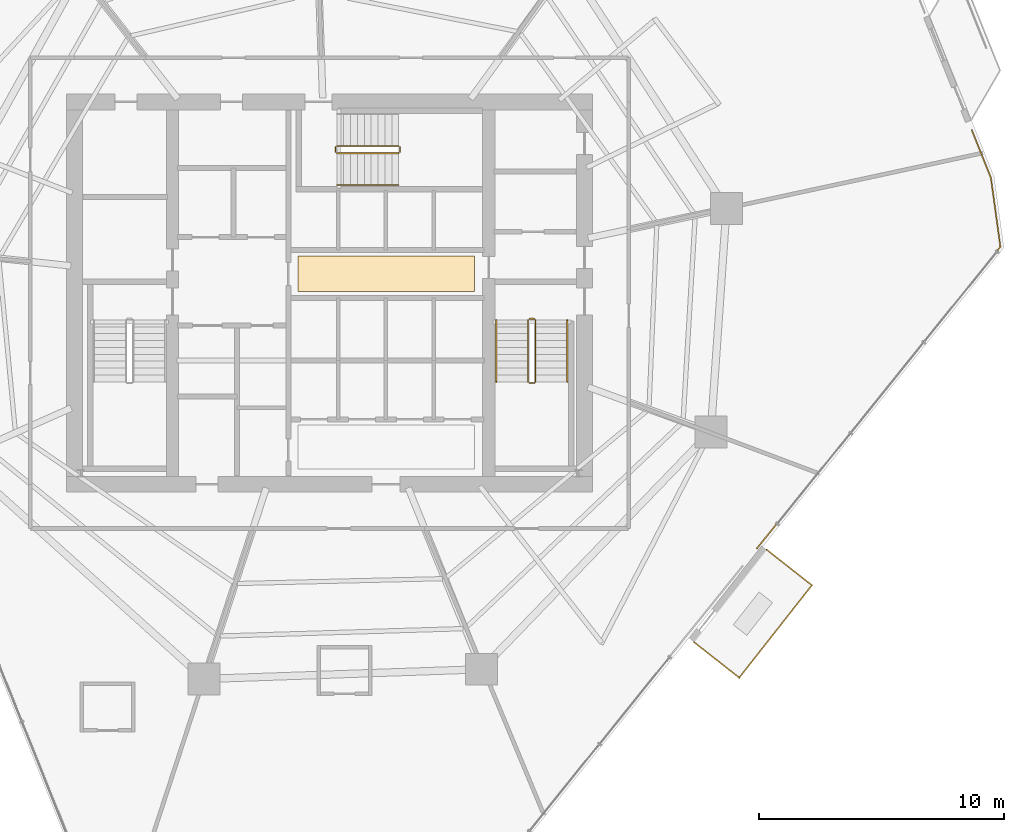
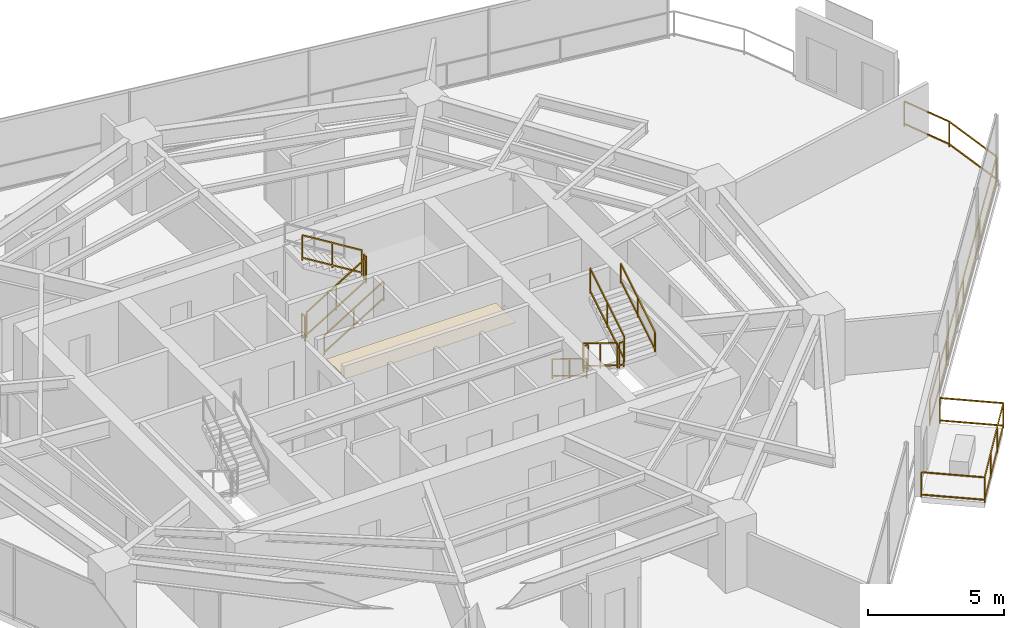
# One storey, part 31 of 32: 13 railings, 1 covering.
"""IFC4 building model written with IfcOpenShell, lengths in metres."""

from ifc_helpers import new_model, si_unit, direction, frame, origin, origin_2d, place, context, subcontext, project, spatial, rectangle, extrude, material, layer, layer_set, type_object, element, save


model = new_model("IFC4")

# Units and contexts
model_context = context("Model", 3, precision=1e-05, world=origin(), true_north=direction((0.0, 1.0)))
body_context = subcontext(model_context, "Body", "Model", "MODEL_VIEW")
ifc_project = project(units=[si_unit("LENGTHUNIT", "METRE"), si_unit("AREAUNIT", "SQUARE_METRE"), si_unit("VOLUMEUNIT", "CUBIC_METRE"), si_unit("PLANEANGLEUNIT", "RADIAN"), si_unit("MASSUNIT", "GRAM", prefix="KILO")], contexts=[model_context])

# Site, building, storey
site_placement = place(None, origin())
site = spatial("IfcSite", under=ifc_project, at=site_placement, CompositionType="ELEMENT")
building_placement = place(site_placement, origin())
building = spatial("IfcBuilding", under=site, at=building_placement, Name="Qarnah Convention Tower", CompositionType="ELEMENT")
storey_placement = place(building_placement, frame((0.0, 0.0, 37.35009765625)))
storey = spatial("IfcBuildingStorey", under=building, at=storey_placement, Name="L08", CompositionType="ELEMENT", Elevation=37.35009765625)

# Covering
ifc_material_1 = material(Name="Mineral fibre acoustic ceiling")
ifc_layer = layer(ifc_material_1, 0.02001953125)
ifc_layer_set = layer_set([ifc_layer], Name="Mineral fibre acoustic ceiling")
covering_type = type_object("IfcCoveringType", Name="COV-CEIL-20", PredefinedType="CEILING", material=ifc_layer_set)
covering_placement = place(storey_placement, frame((39.52001953125, 27.179931640625, 2.289794921875), z_axis=(0.0, 0.0, 1.0), x_axis=(1.0, 0.0, 0.0)))
element("IfcCovering", 1, at=covering_placement, inside=storey, type_object=covering_type, Name="L08 lift lobby acoustic ceiling", PredefinedType="CEILING", context=body_context, shape_type="SweptSolid", body=[
    extrude(rectangle(XDim=7.199951171875, YDim=1.449951171875, at=origin_2d()), origin(), (0.0, 0.0, 1.0), 0.02001953125),
])

# Railings
ifc_material_2 = material(Name="Black anodised aluminium", Category="aluminium")
railing_type_1 = type_object("IfcRailingType", Name="RL-EXT-GUARD-1150", PredefinedType="GUARDRAIL", material=ifc_material_2)
railing_1_placement = place(storey_placement, frame((63.39599609375, 33.0400390625, 0.0)))
element("IfcRailing", 2, at=railing_1_placement, inside=storey, type_object=railing_type_1, Name="L08 slab-edge perimeter safety guard 02", PredefinedType="GUARDRAIL", context=body_context, shape_type="SweptSolid", body=[
    extrude(rectangle(XDim=0.048095703125, YDim=0.048095703125, at=origin_2d()), frame((0.0, 0.0, 1.1259765625), z_axis=(0.371973450954, -0.928243368834, 0.0), x_axis=(0.928243368834, 0.371973450954, 0.0)), (0.0, 0.0, 1.0), 2.094482421875),
    extrude(rectangle(XDim=0.048095703125, YDim=0.048095703125, at=origin_2d()), frame((0.0, 0.0, 0.1201171875), z_axis=(0.371973450954, -0.928243368834, 0.0), x_axis=(0.928243368834, 0.371973450954, 0.0)), (0.0, 0.0, 1.0), 2.094482421875),
    extrude(rectangle(XDim=0.048095703125, YDim=0.048095703125, at=origin_2d()), frame((0.779052734375, -1.944091796875, 1.1259765625), z_axis=(0.136477140746, -0.990643220364, 0.0), x_axis=(0.990643220364, 0.136477140746, 0.0)), (0.0, 0.0, 1.0), 2.83544921875),
    extrude(rectangle(XDim=0.048095703125, YDim=0.048095703125, at=origin_2d()), frame((0.779052734375, -1.944091796875, 0.1201171875), z_axis=(0.136477140746, -0.990643220364, 0.0), x_axis=(0.990643220364, 0.136477140746, 0.0)), (0.0, 0.0, 1.0), 2.83544921875),
    extrude(rectangle(XDim=0.048095703125, YDim=0.048095703125, at=origin_2d()), frame((1.166015625, -4.7529296875, 1.1259765625), z_axis=(-0.628134642581, -0.778104665703, 0.0), x_axis=(0.778104665703, -0.628134642581, 0.0)), (0.0, 0.0, 1.0), 15.803955078125),
    extrude(rectangle(XDim=0.048095703125, YDim=0.048095703125, at=origin_2d()), frame((1.166015625, -4.7529296875, 0.1201171875), z_axis=(-0.628134642581, -0.778104665703, 0.0), x_axis=(0.778104665703, -0.628134642581, 0.0)), (0.0, 0.0, 1.0), 15.803955078125),
    extrude(rectangle(XDim=0.0419921875, YDim=0.0419921875, at=origin_2d()), origin(), (0.0, 0.0, 1.0), 1.101806640625),
    extrude(rectangle(XDim=0.0419921875, YDim=0.0419921875, at=origin_2d()), frame((0.779052734375, -1.944091796875, 0.0)), (0.0, 0.0, 1.0), 1.101806640625),
    extrude(rectangle(XDim=0.0419921875, YDim=0.0419921875, at=origin_2d()), frame((1.166015625, -4.7529296875, 0.0)), (0.0, 0.0, 1.0), 1.101806640625),
    extrude(rectangle(XDim=0.0419921875, YDim=0.0419921875, at=origin_2d()), frame((-1.315673828125, -7.8271484375, 0.0)), (0.0, 0.0, 1.0), 1.101806640625),
    extrude(rectangle(XDim=0.0419921875, YDim=0.0419921875, at=origin_2d()), frame((-3.79736328125, -10.9013671875, 0.0)), (0.0, 0.0, 1.0), 1.101806640625),
    extrude(rectangle(XDim=0.0419921875, YDim=0.0419921875, at=origin_2d()), frame((-6.279296875, -13.975830078125, 0.0)), (0.0, 0.0, 1.0), 1.101806640625),
    extrude(rectangle(XDim=0.0419921875, YDim=0.0419921875, at=origin_2d()), frame((-8.760986328125, -17.050048828125, 0.0)), (0.0, 0.0, 1.0), 1.101806640625),
])
railing_2_placement = place(storey_placement, frame((55.029052734375, 15.93505859375, 0.0)))
element("IfcRailing", 3, at=railing_2_placement, inside=storey, type_object=railing_type_1, Name="L08 balcony safety guard VN-L08", PredefinedType="GUARDRAIL", context=body_context, shape_type="SweptSolid", body=[
    extrude(rectangle(XDim=0.048095703125, YDim=0.048095703125, at=origin_2d()), frame((0.0, 0.0, 1.1259765625), z_axis=(0.786271475643, -0.617881191323, 0.0), x_axis=(0.617881191323, 0.786271475643, 0.0)), (0.0, 0.0, 1.0), 2.35009765625),
    extrude(rectangle(XDim=0.048095703125, YDim=0.048095703125, at=origin_2d()), frame((0.0, 0.0, 0.1201171875), z_axis=(0.786271475643, -0.617881191323, 0.0), x_axis=(0.617881191323, 0.786271475643, 0.0)), (0.0, 0.0, 1.0), 2.35009765625),
    extrude(rectangle(XDim=0.048095703125, YDim=0.048095703125, at=origin_2d()), frame((1.847900390625, -1.4521484375, 1.1259765625), z_axis=(-0.617929368355, -0.786233613962, 0.0), x_axis=(0.786233613962, -0.617929368355, 0.0)), (0.0, 0.0, 1.0), 4.800048828125),
    extrude(rectangle(XDim=0.048095703125, YDim=0.048095703125, at=origin_2d()), frame((1.847900390625, -1.4521484375, 0.1201171875), z_axis=(-0.617929368355, -0.786233613962, 0.0), x_axis=(0.786233613962, -0.617929368355, 0.0)), (0.0, 0.0, 1.0), 4.800048828125),
    extrude(rectangle(XDim=0.048095703125, YDim=0.048095703125, at=origin_2d()), frame((-1.1181640625, -5.22607421875, 1.1259765625), z_axis=(-0.786163251948, 0.618018884248, 0.0), x_axis=(-0.618018884248, -0.786163251948, 0.0)), (0.0, 0.0, 1.0), 2.349365234375),
    extrude(rectangle(XDim=0.048095703125, YDim=0.048095703125, at=origin_2d()), frame((-1.1181640625, -5.22607421875, 0.1201171875), z_axis=(-0.786163251948, 0.618018884248, 0.0), x_axis=(-0.618018884248, -0.786163251948, 0.0)), (0.0, 0.0, 1.0), 2.349365234375),
    extrude(rectangle(XDim=0.0419921875, YDim=0.0419921875, at=origin_2d()), origin(), (0.0, 0.0, 1.0), 1.101806640625),
    extrude(rectangle(XDim=0.0419921875, YDim=0.0419921875, at=origin_2d()), frame((1.847900390625, -1.4521484375, 0.0)), (0.0, 0.0, 1.0), 1.101806640625),
    extrude(rectangle(XDim=0.0419921875, YDim=0.0419921875, at=origin_2d()), frame((0.859130859375, -2.710205078125, 0.0)), (0.0, 0.0, 1.0), 1.101806640625),
    extrude(rectangle(XDim=0.0419921875, YDim=0.0419921875, at=origin_2d()), frame((-0.12939453125, -3.968017578125, 0.0)), (0.0, 0.0, 1.0), 1.101806640625),
    extrude(rectangle(XDim=0.0419921875, YDim=0.0419921875, at=origin_2d()), frame((-1.1181640625, -5.22607421875, 0.0)), (0.0, 0.0, 1.0), 1.101806640625),
    extrude(rectangle(XDim=0.0419921875, YDim=0.0419921875, at=origin_2d()), frame((-2.965087890625, -3.774169921875, 0.0)), (0.0, 0.0, 1.0), 1.101806640625),
])
ifc_material_3 = material(Name="Structural steel S355JR", Category="steel")
railing_type_2 = type_object("IfcRailingType", Name="RL-STAIR-GUARD-1150", PredefinedType="GUARDRAIL", material=ifc_material_3)
railing_3_placement = place(storey_placement, frame((45.300048828125, 25.300048828125, 0.17236328125)))
element("IfcRailing", 4, at=railing_3_placement, inside=storey, type_object=railing_type_2, Name="L08 ST-2 stair guard 1", PredefinedType="GUARDRAIL", context=body_context, shape_type="SweptSolid", body=[
    extrude(rectangle(XDim=0.048095703125, YDim=0.048095703125, at=origin_2d()), frame((0.0, 0.0, 1.1259765625), z_axis=(0.0, -0.851400495292, 0.524516154772), x_axis=(1.0, 0.0, 0.0)), (0.0, 0.0, 1.0), 2.9599609375),
    extrude(rectangle(XDim=0.048095703125, YDim=0.048095703125, at=origin_2d()), frame((0.0, 0.0, 0.1201171875), z_axis=(0.0, -0.851400495292, 0.524516154772), x_axis=(1.0, 0.0, 0.0)), (0.0, 0.0, 1.0), 2.9599609375),
    extrude(rectangle(XDim=0.0419921875, YDim=0.0419921875, at=origin_2d()), origin(), (0.0, 0.0, 1.0), 1.101806640625),
    extrude(rectangle(XDim=0.0419921875, YDim=0.0419921875, at=origin_2d()), frame((0.0, -1.260009765625, 0.7763671875)), (0.0, 0.0, 1.0), 1.101806640625),
    extrude(rectangle(XDim=0.0419921875, YDim=0.0419921875, at=origin_2d()), frame((0.0, -2.52001953125, 1.552490234375)), (0.0, 0.0, 1.0), 1.101806640625),
])
railing_4_placement = place(storey_placement, frame((45.35009765625, 22.72998046875, 1.724853515625)))
element("IfcRailing", 5, at=railing_4_placement, inside=storey, type_object=railing_type_2, Name="L08 ST-2 stair guard 2", PredefinedType="GUARDRAIL", context=body_context, shape_type="SweptSolid", body=[
    extrude(rectangle(XDim=0.048095703125, YDim=0.048095703125, at=origin_2d()), frame((0.0, 0.0, 1.1259765625), z_axis=(1.0, 0.0, 0.0), x_axis=(0.0, 1.0, 0.0)), (0.0, 0.0, 1.0), 0.199951171875),
    extrude(rectangle(XDim=0.048095703125, YDim=0.048095703125, at=origin_2d()), frame((0.0, 0.0, 0.1201171875), z_axis=(1.0, 0.0, 0.0), x_axis=(0.0, 1.0, 0.0)), (0.0, 0.0, 1.0), 0.199951171875),
    extrude(rectangle(XDim=0.0419921875, YDim=0.0419921875, at=origin_2d()), origin(), (0.0, 0.0, 1.0), 1.101806640625),
    extrude(rectangle(XDim=0.0419921875, YDim=0.0419921875, at=origin_2d()), frame((0.199951171875, 0.0, 0.0)), (0.0, 0.0, 1.0), 1.101806640625),
])
railing_5_placement = place(storey_placement, frame((45.60009765625, 22.780029296875, 1.8974609375)))
element("IfcRailing", 6, at=railing_5_placement, inside=storey, type_object=railing_type_2, Name="L08 ST-2 stair guard 3", PredefinedType="GUARDRAIL", context=body_context, shape_type="SweptSolid", body=[
    extrude(rectangle(XDim=0.048095703125, YDim=0.048095703125, at=origin_2d()), frame((0.0, 0.0, 1.1259765625), z_axis=(0.0, 0.851400495292, 0.524516154772), x_axis=(-1.0, 0.0, 0.0)), (0.0, 0.0, 1.0), 2.9599609375),
    extrude(rectangle(XDim=0.048095703125, YDim=0.048095703125, at=origin_2d()), frame((0.0, 0.0, 0.1201171875), z_axis=(0.0, 0.851400495292, 0.524516154772), x_axis=(-1.0, 0.0, 0.0)), (0.0, 0.0, 1.0), 2.9599609375),
    extrude(rectangle(XDim=0.0419921875, YDim=0.0419921875, at=origin_2d()), origin(), (0.0, 0.0, 1.0), 1.101806640625),
    extrude(rectangle(XDim=0.0419921875, YDim=0.0419921875, at=origin_2d()), frame((0.0, 1.260009765625, 0.7763671875)), (0.0, 0.0, 1.0), 1.101806640625),
    extrude(rectangle(XDim=0.0419921875, YDim=0.0419921875, at=origin_2d()), frame((0.0, 2.52001953125, 1.552490234375)), (0.0, 0.0, 1.0), 1.101806640625),
])
railing_6_placement = place(storey_placement, frame((45.35009765625, 25.35009765625, 0.0)))
element("IfcRailing", 7, at=railing_6_placement, inside=storey, type_object=railing_type_2, Name="L08 ST-2 stair guard 4", PredefinedType="GUARDRAIL", context=body_context, shape_type="SweptSolid", body=[
    extrude(rectangle(XDim=0.048095703125, YDim=0.048095703125, at=origin_2d()), frame((0.0, 0.0, 1.1259765625), z_axis=(1.0, 0.0, 0.0), x_axis=(0.0, 1.0, 0.0)), (0.0, 0.0, 1.0), 0.199951171875),
    extrude(rectangle(XDim=0.048095703125, YDim=0.048095703125, at=origin_2d()), frame((0.0, 0.0, 0.1201171875), z_axis=(1.0, 0.0, 0.0), x_axis=(0.0, 1.0, 0.0)), (0.0, 0.0, 1.0), 0.199951171875),
    extrude(rectangle(XDim=0.0419921875, YDim=0.0419921875, at=origin_2d()), origin(), (0.0, 0.0, 1.0), 1.101806640625),
    extrude(rectangle(XDim=0.0419921875, YDim=0.0419921875, at=origin_2d()), frame((0.199951171875, 0.0, 0.0)), (0.0, 0.0, 1.0), 1.101806640625),
])
railing_7_placement = place(storey_placement, frame((37.5, 32.10009765625, 0.17236328125)))
element("IfcRailing", 8, at=railing_7_placement, inside=storey, type_object=railing_type_2, Name="L08 ST-3 stair guard 1", PredefinedType="GUARDRAIL", context=body_context, shape_type="SweptSolid", body=[
    extrude(rectangle(XDim=0.048095703125, YDim=0.048095703125, at=origin_2d()), frame((0.0, 0.0, 1.1259765625), z_axis=(0.851400495292, 0.0, 0.524516154772), x_axis=(0.0, 1.0, 0.0)), (0.0, 0.0, 1.0), 2.9599609375),
    extrude(rectangle(XDim=0.048095703125, YDim=0.048095703125, at=origin_2d()), frame((0.0, 0.0, 0.1201171875), z_axis=(0.851400495292, 0.0, 0.524516154772), x_axis=(0.0, 1.0, 0.0)), (0.0, 0.0, 1.0), 2.9599609375),
    extrude(rectangle(XDim=0.0419921875, YDim=0.0419921875, at=origin_2d()), origin(), (0.0, 0.0, 1.0), 1.101806640625),
    extrude(rectangle(XDim=0.0419921875, YDim=0.0419921875, at=origin_2d()), frame((1.260009765625, 0.0, 0.7763671875)), (0.0, 0.0, 1.0), 1.101806640625),
    extrude(rectangle(XDim=0.0419921875, YDim=0.0419921875, at=origin_2d()), frame((2.52001953125, 0.0, 1.552490234375)), (0.0, 0.0, 1.0), 1.101806640625),
])
railing_8_placement = place(storey_placement, frame((40.070068359375, 32.14990234375, 1.724853515625)))
element("IfcRailing", 9, at=railing_8_placement, inside=storey, type_object=railing_type_2, Name="L08 ST-3 stair guard 2", PredefinedType="GUARDRAIL", context=body_context, shape_type="SweptSolid", body=[
    extrude(rectangle(XDim=0.048095703125, YDim=0.048095703125, at=origin_2d()), frame((0.0, 0.0, 1.1259765625), z_axis=(0.0, 1.0, 0.0), x_axis=(-1.0, 0.0, 0.0)), (0.0, 0.0, 1.0), 0.2001953125),
    extrude(rectangle(XDim=0.048095703125, YDim=0.048095703125, at=origin_2d()), frame((0.0, 0.0, 0.1201171875), z_axis=(0.0, 1.0, 0.0), x_axis=(-1.0, 0.0, 0.0)), (0.0, 0.0, 1.0), 0.2001953125),
    extrude(rectangle(XDim=0.0419921875, YDim=0.0419921875, at=origin_2d()), origin(), (0.0, 0.0, 1.0), 1.101806640625),
    extrude(rectangle(XDim=0.0419921875, YDim=0.0419921875, at=origin_2d()), frame((0.0, 0.2001953125, 0.0)), (0.0, 0.0, 1.0), 1.101806640625),
])
railing_9_placement = place(storey_placement, frame((40.02001953125, 32.39990234375, 1.8974609375)))
element("IfcRailing", 10, at=railing_9_placement, inside=storey, type_object=railing_type_2, Name="L08 ST-3 stair guard 3", PredefinedType="GUARDRAIL", context=body_context, shape_type="SweptSolid", body=[
    extrude(rectangle(XDim=0.048095703125, YDim=0.048095703125, at=origin_2d()), frame((0.0, 0.0, 1.1259765625), z_axis=(-0.851400495292, 0.0, 0.524516154772), x_axis=(0.0, -1.0, 0.0)), (0.0, 0.0, 1.0), 2.9599609375),
    extrude(rectangle(XDim=0.048095703125, YDim=0.048095703125, at=origin_2d()), frame((0.0, 0.0, 0.1201171875), z_axis=(-0.851400495292, 0.0, 0.524516154772), x_axis=(0.0, -1.0, 0.0)), (0.0, 0.0, 1.0), 2.9599609375),
    extrude(rectangle(XDim=0.0419921875, YDim=0.0419921875, at=origin_2d()), origin(), (0.0, 0.0, 1.0), 1.101806640625),
    extrude(rectangle(XDim=0.0419921875, YDim=0.0419921875, at=origin_2d()), frame((-1.260009765625, 0.0, 0.7763671875)), (0.0, 0.0, 1.0), 1.101806640625),
    extrude(rectangle(XDim=0.0419921875, YDim=0.0419921875, at=origin_2d()), frame((-2.52001953125, 0.0, 1.552490234375)), (0.0, 0.0, 1.0), 1.101806640625),
])
railing_10_placement = place(storey_placement, frame((37.449951171875, 32.14990234375, 0.0)))
element("IfcRailing", 11, at=railing_10_placement, inside=storey, type_object=railing_type_2, Name="L08 ST-3 stair guard 4", PredefinedType="GUARDRAIL", context=body_context, shape_type="SweptSolid", body=[
    extrude(rectangle(XDim=0.048095703125, YDim=0.048095703125, at=origin_2d()), frame((0.0, 0.0, 1.1259765625), z_axis=(0.0, 1.0, 0.0), x_axis=(-1.0, 0.0, 0.0)), (0.0, 0.0, 1.0), 0.2001953125),
    extrude(rectangle(XDim=0.048095703125, YDim=0.048095703125, at=origin_2d()), frame((0.0, 0.0, 0.1201171875), z_axis=(0.0, 1.0, 0.0), x_axis=(-1.0, 0.0, 0.0)), (0.0, 0.0, 1.0), 0.2001953125),
    extrude(rectangle(XDim=0.0419921875, YDim=0.0419921875, at=origin_2d()), origin(), (0.0, 0.0, 1.0), 1.101806640625),
    extrude(rectangle(XDim=0.0419921875, YDim=0.0419921875, at=origin_2d()), frame((0.0, 0.2001953125, 0.0)), (0.0, 0.0, 1.0), 1.101806640625),
])
railing_type_3 = type_object("IfcRailingType", Name="RL-STAIR-HAND-900", PredefinedType="HANDRAIL", material=ifc_material_3)
railing_11_placement = place(storey_placement, frame((44.0, 25.300048828125, 0.17236328125)))
element("IfcRailing", 12, at=railing_11_placement, inside=storey, type_object=railing_type_3, Name="L08 ST-2 stair handrail 1", PredefinedType="HANDRAIL", context=body_context, shape_type="SweptSolid", body=[
    extrude(rectangle(XDim=0.048095703125, YDim=0.048095703125, at=origin_2d()), frame((0.0, 0.0, 0.8759765625), z_axis=(0.0, -0.851400495292, 0.524516154772), x_axis=(1.0, 0.0, 0.0)), (0.0, 0.0, 1.0), 2.9599609375),
    extrude(rectangle(XDim=0.048095703125, YDim=0.048095703125, at=origin_2d()), frame((0.0, 0.0, 0.1201171875), z_axis=(0.0, -0.851400495292, 0.524516154772), x_axis=(1.0, 0.0, 0.0)), (0.0, 0.0, 1.0), 2.9599609375),
    extrude(rectangle(XDim=0.0419921875, YDim=0.0419921875, at=origin_2d()), origin(), (0.0, 0.0, 1.0), 0.851806640625),
    extrude(rectangle(XDim=0.0419921875, YDim=0.0419921875, at=origin_2d()), frame((0.0, -1.260009765625, 0.7763671875)), (0.0, 0.0, 1.0), 0.851806640625),
    extrude(rectangle(XDim=0.0419921875, YDim=0.0419921875, at=origin_2d()), frame((0.0, -2.52001953125, 1.552490234375)), (0.0, 0.0, 1.0), 0.851806640625),
])
railing_12_placement = place(storey_placement, frame((46.89990234375, 22.780029296875, 1.8974609375)))
element("IfcRailing", 13, at=railing_12_placement, inside=storey, type_object=railing_type_3, Name="L08 ST-2 stair handrail 2", PredefinedType="HANDRAIL", context=body_context, shape_type="SweptSolid", body=[
    extrude(rectangle(XDim=0.048095703125, YDim=0.048095703125, at=origin_2d()), frame((0.0, 0.0, 0.8759765625), z_axis=(0.0, 0.851400495292, 0.524516154772), x_axis=(-1.0, 0.0, 0.0)), (0.0, 0.0, 1.0), 2.9599609375),
    extrude(rectangle(XDim=0.048095703125, YDim=0.048095703125, at=origin_2d()), frame((0.0, 0.0, 0.1201171875), z_axis=(0.0, 0.851400495292, 0.524516154772), x_axis=(-1.0, 0.0, 0.0)), (0.0, 0.0, 1.0), 2.9599609375),
    extrude(rectangle(XDim=0.0419921875, YDim=0.0419921875, at=origin_2d()), origin(), (0.0, 0.0, 1.0), 0.851806640625),
    extrude(rectangle(XDim=0.0419921875, YDim=0.0419921875, at=origin_2d()), frame((0.0, 1.260009765625, 0.7763671875)), (0.0, 0.0, 1.0), 0.851806640625),
    extrude(rectangle(XDim=0.0419921875, YDim=0.0419921875, at=origin_2d()), frame((0.0, 2.52001953125, 1.552490234375)), (0.0, 0.0, 1.0), 0.851806640625),
])
railing_13_placement = place(storey_placement, frame((37.5, 30.800048828125, 0.17236328125)))
element("IfcRailing", 14, at=railing_13_placement, inside=storey, type_object=railing_type_3, Name="L08 ST-3 stair handrail 1", PredefinedType="HANDRAIL", context=body_context, shape_type="SweptSolid", body=[
    extrude(rectangle(XDim=0.048095703125, YDim=0.048095703125, at=origin_2d()), frame((0.0, 0.0, 0.8759765625), z_axis=(0.851400495292, 0.0, 0.524516154772), x_axis=(0.0, 1.0, 0.0)), (0.0, 0.0, 1.0), 2.9599609375),
    extrude(rectangle(XDim=0.048095703125, YDim=0.048095703125, at=origin_2d()), frame((0.0, 0.0, 0.1201171875), z_axis=(0.851400495292, 0.0, 0.524516154772), x_axis=(0.0, 1.0, 0.0)), (0.0, 0.0, 1.0), 2.9599609375),
    extrude(rectangle(XDim=0.0419921875, YDim=0.0419921875, at=origin_2d()), origin(), (0.0, 0.0, 1.0), 0.851806640625),
    extrude(rectangle(XDim=0.0419921875, YDim=0.0419921875, at=origin_2d()), frame((1.260009765625, 0.0, 0.7763671875)), (0.0, 0.0, 1.0), 0.851806640625),
    extrude(rectangle(XDim=0.0419921875, YDim=0.0419921875, at=origin_2d()), frame((2.52001953125, 0.0, 1.552490234375)), (0.0, 0.0, 1.0), 0.851806640625),
])

save(model, "model.ifc")
